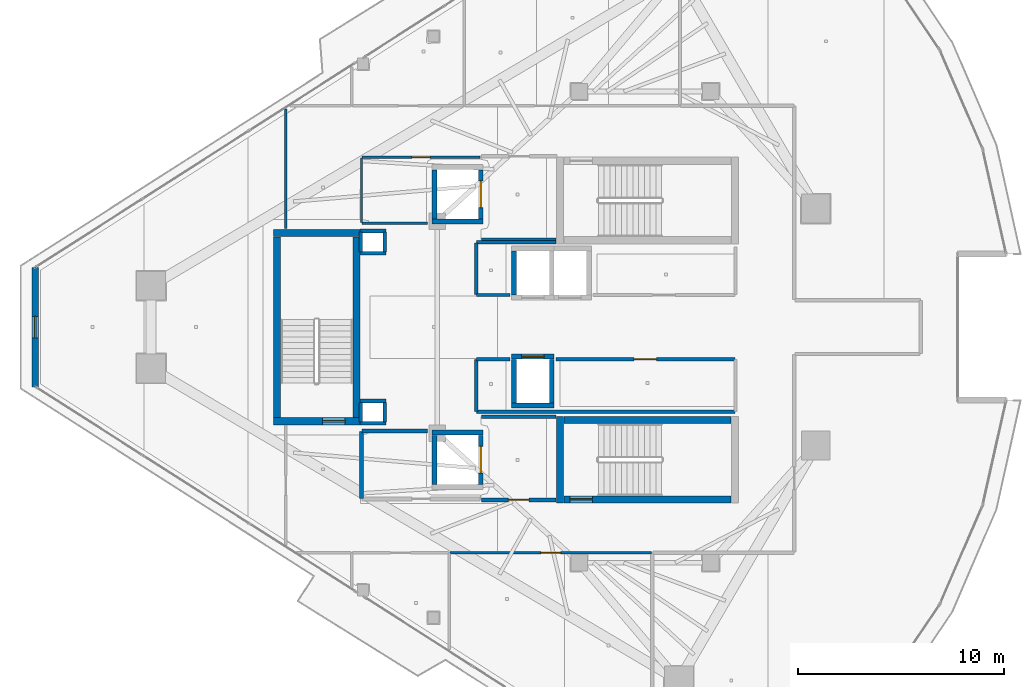
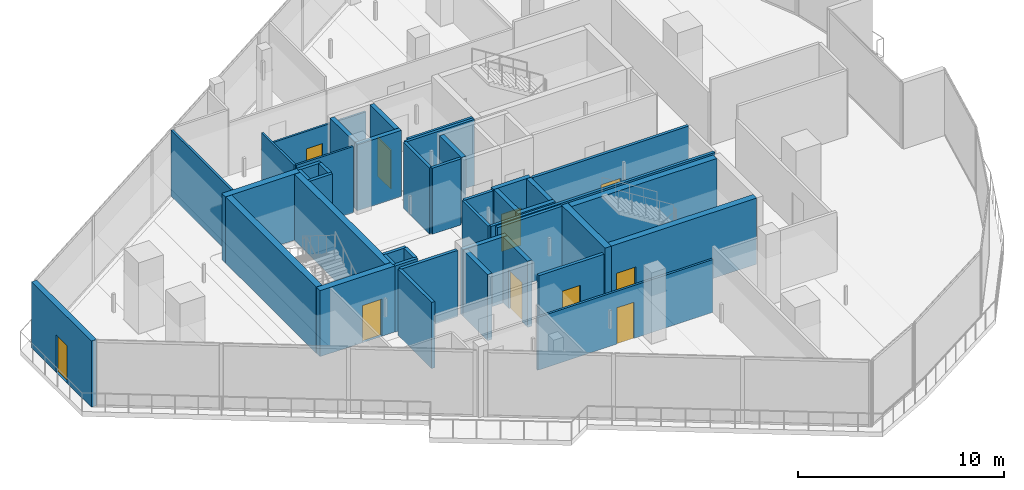
# One storey, part 20 of 27: 44 walls, 10 doors, 10 openings.
"""IFC4 building model written with IfcOpenShell, lengths in metres."""

from ifc_helpers import new_model, si_unit, direction, frame, frame_2d, origin, place, context, subcontext, project, spatial, rectangle, extrude, material, layer, layer_set, type_object, element, fill, save


model = new_model("IFC4")

# Units and contexts
model_context = context("Model", 3, precision=1e-05, world=origin(), true_north=direction((0.0, 1.0)))
body_context = subcontext(model_context, "Body", "Model", "MODEL_VIEW")
ifc_project = project(units=[si_unit("LENGTHUNIT", "METRE"), si_unit("AREAUNIT", "SQUARE_METRE"), si_unit("VOLUMEUNIT", "CUBIC_METRE"), si_unit("PLANEANGLEUNIT", "RADIAN"), si_unit("MASSUNIT", "GRAM", prefix="KILO")], contexts=[model_context])

# Site, building, storey
site_placement = place(None, origin())
site = spatial("IfcSite", under=ifc_project, at=site_placement, CompositionType="ELEMENT")
building_placement = place(site_placement, origin())
building = spatial("IfcBuilding", under=site, at=building_placement, Name="Qorvath Tower", CompositionType="ELEMENT")
storey_placement = place(building_placement, frame((0.0, 0.0, 293.39990234375)))
storey = spatial("IfcBuildingStorey", under=building, at=storey_placement, Name="L68", CompositionType="ELEMENT", Elevation=293.39990234375)

# Walls
ifc_material_1 = material(Name="Gypsum shaftliner on steel studs", Category="steel")
ifc_layer_1 = layer(ifc_material_1, 0.179931640625)
ifc_layer_set_1 = layer_set([ifc_layer_1], Name="FW-LOBBY")
wall_type_1 = type_object("IfcWallType", Name="FW-LOBBY", PredefinedType="PARTITIONING", material=ifc_layer_set_1)
for number, where, z_axis, x_axis, name in (
    (1, (-32.989990234375, 3.594970703125, 0.0), (0.0, 0.0, 1.0), (-1.0, 0.0, 0.0), "MEP Riser Shaft Enclosure Wall N-L68-S"),
    (2, (-34.260009765625, 4.675048828125, 0.0), (0.0, 0.0, 1.0), (1.0, 0.0, 0.0), "MEP Riser Shaft Enclosure Wall N-L68-N"),
):
    element("IfcWall", number, at=place(storey_placement, frame(where, z_axis=z_axis, x_axis=x_axis)), inside=storey, type_object=wall_type_1, Name=name, PredefinedType="PARTITIONING", context=body_context, shape_type="SweptSolid", body=[
        extrude(rectangle(XDim=1.27001953125, YDim=0.179931640625, at=frame_2d((0.635009765625, 0.0))), origin(), (0.0, 0.0, 1.0), 3.91015625),
    ])
for number, where, z_axis, x_axis, name in (
    (3, (-34.205078125, 3.659912109375, 0.0), (0.0, 0.0, 1.0), (0.0, 1.0, 0.0), "MEP Riser Shaft Enclosure Wall N-L68-W"),
    (4, (-33.044921875, 4.610107421875, 0.0), (0.0, 0.0, 1.0), (0.0, -1.0, 0.0), "MEP Riser Shaft Enclosure Wall N-L68-E"),
):
    element("IfcWall", number, at=place(storey_placement, frame(where, z_axis=z_axis, x_axis=x_axis)), inside=storey, type_object=wall_type_1, Name=name, PredefinedType="PARTITIONING", context=body_context, shape_type="SweptSolid", body=[
        extrude(rectangle(XDim=0.9501953125, YDim=0.179931640625, at=frame_2d((0.47509765625, 0.0))), origin(), (0.0, 0.0, 1.0), 3.91015625),
    ])
for number, where, z_axis, x_axis, name in (
    (5, (-32.989990234375, -4.675048828125, 0.0), (0.0, 0.0, 1.0), (-1.0, 0.0, 0.0), "MEP Riser Shaft Enclosure Wall S-L68-S"),
    (6, (-34.260009765625, -3.594970703125, 0.0), (0.0, 0.0, 1.0), (1.0, 0.0, 0.0), "MEP Riser Shaft Enclosure Wall S-L68-N"),
):
    element("IfcWall", number, at=place(storey_placement, frame(where, z_axis=z_axis, x_axis=x_axis)), inside=storey, type_object=wall_type_1, Name=name, PredefinedType="PARTITIONING", context=body_context, shape_type="SweptSolid", body=[
        extrude(rectangle(XDim=1.27001953125, YDim=0.179931640625, at=frame_2d((0.635009765625, 0.0))), origin(), (0.0, 0.0, 1.0), 3.91015625),
    ])
for number, where, z_axis, x_axis, name in (
    (7, (-34.205078125, -4.610107421875, 0.0), (0.0, 0.0, 1.0), (0.0, 1.0, 0.0), "MEP Riser Shaft Enclosure Wall S-L68-W"),
    (8, (-33.044921875, -3.659912109375, 0.0), (0.0, 0.0, 1.0), (0.0, -1.0, 0.0), "MEP Riser Shaft Enclosure Wall S-L68-E"),
):
    element("IfcWall", number, at=place(storey_placement, frame(where, z_axis=z_axis, x_axis=x_axis)), inside=storey, type_object=wall_type_1, Name=name, PredefinedType="PARTITIONING", context=body_context, shape_type="SweptSolid", body=[
        extrude(rectangle(XDim=0.9501953125, YDim=0.179931640625, at=frame_2d((0.47509765625, 0.0))), origin(), (0.0, 0.0, 1.0), 3.91015625),
    ])
wall_1_placement = place(storey_placement, frame((-28.35498046875, 4.25, 0.0), z_axis=(0.0, 0.0, 1.0), x_axis=(1.0, 0.0, 0.0)))
element("IfcWall", 9, at=wall_1_placement, inside=storey, type_object=wall_type_1, Name="Interior Partition IW-T1-L68-001", PredefinedType="PARTITIONING", context=body_context, shape_type="SweptSolid", body=[
    extrude(rectangle(XDim=3.6220703125, YDim=0.179931640625, at=frame_2d((1.81103515625, 0.0))), origin(), (0.0, 0.0, 1.0), 3.91015625),
])

# Wall, opening, door
wall_2_placement = place(storey_placement, frame((-28.35498046875, -8.39990234375, 0.0), z_axis=(0.0, 0.0, 1.0), x_axis=(1.0, 0.0, 0.0)))
wall_2 = element("IfcWall", 10, at=wall_2_placement, inside=storey, type_object=wall_type_1, Name="Interior Partition IW-T1-L68-003", PredefinedType="PARTITIONING", context=body_context, shape_type="SweptSolid", body=[
    extrude(rectangle(XDim=3.6220703125, YDim=0.179931640625, at=frame_2d((1.81103515625, 0.0))), origin(), (0.0, 0.0, 1.0), 3.529052734375),
])
opening_1_placement = place(wall_2_placement, frame((1.31103515625, 0.0, 0.0)))
opening_1 = element("IfcOpeningElement", 11, at=opening_1_placement, cuts=wall_2, Name="Opening D-T1-L68-02", PredefinedType="OPENING", context=body_context, shape_type="SweptSolid", body=[
    extrude(rectangle(XDim=1.0, YDim=2.14990234375, at=frame_2d((0.5, 1.074951171875))), frame((0.0, 0.10009765625, 0.0), z_axis=(0.0, -1.0, 0.0), x_axis=(1.0, 0.0, 0.0)), (0.0, 0.0, 1.0), 0.199951171875),
])
ifc_material_2 = material(Name="Painted galvanised hollow metal", Category="steel")
door_type_1 = type_object("IfcDoorType", Name="FD-60", OperationType="NOTDEFINED", PredefinedType="DOOR", material=ifc_material_2)
door_1_placement = place(opening_1_placement, origin())
door_1 = element("IfcDoor", 12, at=door_1_placement, inside=storey, type_object=door_type_1, Name="Lobby Fire Service Elevator South Door D-T1-L68-02", OperationType="SINGLE_SWING_LEFT", OverallHeight=2.14990234375, OverallWidth=1.0, PredefinedType="DOOR", context=body_context, shape_type="SweptSolid", body=[
    extrude(rectangle(XDim=1.0, YDim=2.14990234375, at=frame_2d((0.5, 1.074951171875))), frame((0.0, 0.02490234375, 0.0), z_axis=(0.0, -1.0, 0.0), x_axis=(1.0, 0.0, 0.0)), (0.0, 0.0, 1.0), 0.050048828125),
])
fill(opening_1, door_1)

# Walls
wall_3_placement = place(storey_placement, frame((-24.73291015625, -4.35009765625, 0.0), z_axis=(0.0, 0.0, 1.0), x_axis=(-1.0, 0.0, 0.0)))
element("IfcWall", 13, at=wall_3_placement, inside=storey, type_object=wall_type_1, Name="Interior Partition IW-T1-L68-004", PredefinedType="PARTITIONING", context=body_context, shape_type="SweptSolid", body=[
    extrude(rectangle(XDim=3.6220703125, YDim=0.179931640625, at=frame_2d((1.81103515625, 0.0))), origin(), (0.0, 0.0, 1.0), 3.91015625),
])
wall_4_placement = place(storey_placement, frame((-30.965087890625, -5.050048828125, 0.0), z_axis=(0.0, 0.0, 1.0), x_axis=(-1.0, 0.0, 0.0)))
element("IfcWall", 14, at=wall_4_placement, inside=storey, type_object=wall_type_1, Name="Interior Partition IW-T1-L68-018", PredefinedType="PARTITIONING", context=body_context, shape_type="SweptSolid", body=[
    extrude(rectangle(XDim=3.189697265625, YDim=0.179931640625, at=frame_2d((1.5947265625, 0.0))), origin(), (0.0, 0.0, 1.0), 3.91015625),
])
wall_5_placement = place(storey_placement, frame((-34.179931640625, -5.074951171875, 0.0), z_axis=(0.0, 0.0, 1.0), x_axis=(0.0, -1.0, 0.0)))
element("IfcWall", 15, at=wall_5_placement, inside=storey, type_object=wall_type_1, Name="Interior Partition IW-T1-L68-019", PredefinedType="PARTITIONING", context=body_context, shape_type="SweptSolid", body=[
    extrude(rectangle(XDim=3.250244140625, YDim=0.179931640625, at=frame_2d((1.625, 0.0))), origin(), (0.0, 0.0, 1.0), 3.91015625),
])
ifc_material_3 = material(Name="Double acoustic gypsum board on steel studs", Category="steel")
ifc_layer_2 = layer(ifc_material_3, 0.159912109375)
ifc_layer_set_2 = layer_set([ifc_layer_2], Name="IW-ACOUSTIC-160")
wall_type_2 = type_object("IfcWallType", Name="IW-ACOUSTIC-160", PredefinedType="PARTITIONING", material=ifc_layer_set_2)
wall_6_placement = place(storey_placement, frame((-28.60009765625, 4.09521484375, 0.0), z_axis=(0.0, 0.0, 1.0), x_axis=(0.0, -1.0, 0.0)))
element("IfcWall", 16, at=wall_6_placement, inside=storey, type_object=wall_type_2, Name="Interior Partition IW-T1-L68-008", PredefinedType="PARTITIONING", context=body_context, shape_type="SweptSolid", body=[
    extrude(rectangle(XDim=2.510009765625, YDim=0.159912109375, at=frame_2d((1.2548828125, 0.0))), origin(), (0.0, 0.0, 1.0), 3.91015625),
])
wall_7_placement = place(storey_placement, frame((-28.5751953125, 1.56005859375, 0.0), z_axis=(0.0, 0.0, 1.0), x_axis=(1.0, 0.0, 0.0)))
element("IfcWall", 17, at=wall_7_placement, inside=storey, type_object=wall_type_2, Name="Interior Partition IW-T1-L68-009", PredefinedType="PARTITIONING", context=body_context, shape_type="SweptSolid", body=[
    extrude(rectangle(XDim=1.609130859375, YDim=0.159912109375, at=frame_2d((0.8046875, 0.0))), origin(), (0.0, 0.0, 1.0), 3.91015625),
])
wall_8_placement = place(storey_placement, frame((-24.73291015625, 4.1201171875, 0.0), z_axis=(0.0, 0.0, 1.0), x_axis=(-1.0, 0.0, 0.0)))
element("IfcWall", 18, at=wall_8_placement, inside=storey, type_object=wall_type_2, Name="Interior Partition IW-T1-L68-012", PredefinedType="PARTITIONING", context=body_context, shape_type="SweptSolid", body=[
    extrude(rectangle(XDim=3.84228515625, YDim=0.159912109375, at=frame_2d((1.921142578125, 0.0))), origin(), (0.0, 0.0, 1.0), 3.91015625),
])
wall_9_placement = place(storey_placement, frame((-28.60009765625, -1.585205078125, 0.0), z_axis=(0.0, 0.0, 1.0), x_axis=(0.0, -1.0, 0.0)))
element("IfcWall", 19, at=wall_9_placement, inside=storey, type_object=wall_type_2, Name="Interior Partition IW-T1-L68-013", PredefinedType="PARTITIONING", context=body_context, shape_type="SweptSolid", body=[
    extrude(rectangle(XDim=2.510009765625, YDim=0.159912109375, at=frame_2d((1.2548828125, 0.0))), origin(), (0.0, 0.0, 1.0), 3.91015625),
])
wall_10_placement = place(storey_placement, frame((-28.5751953125, -4.1201171875, 0.0), z_axis=(0.0, 0.0, 1.0), x_axis=(1.0, 0.0, 0.0)))
element("IfcWall", 20, at=wall_10_placement, inside=storey, type_object=wall_type_2, Name="Interior Partition IW-T1-L68-014", PredefinedType="PARTITIONING", context=body_context, shape_type="SweptSolid", body=[
    extrude(rectangle(XDim=12.55029296875, YDim=0.159912109375, at=frame_2d((6.275146484375, 0.0))), origin(), (0.0, 0.0, 1.0), 3.91015625),
])

# Wall, opening, door
wall_11_placement = place(storey_placement, frame((-16.02490234375, -1.56005859375, 0.0), z_axis=(0.0, 0.0, 1.0), x_axis=(-1.0, 0.0, 0.0)))
wall_11 = element("IfcWall", 21, at=wall_11_placement, inside=storey, type_object=wall_type_2, Name="Interior Partition IW-T1-L68-016", PredefinedType="PARTITIONING", context=body_context, shape_type="SweptSolid", body=[
    extrude(rectangle(XDim=8.708984375, YDim=0.159912109375, at=frame_2d((4.3544921875, 0.0))), origin(), (0.0, 0.0, 1.0), 3.91015625),
])
opening_2_placement = place(wall_11_placement, frame((3.804443359375, 0.0, 0.0)))
opening_2 = element("IfcOpeningElement", 22, at=opening_2_placement, cuts=wall_11, Name="Opening D-T1-L68-05", PredefinedType="OPENING", context=body_context, shape_type="SweptSolid", body=[
    extrude(rectangle(XDim=1.10009765625, YDim=2.14990234375, at=frame_2d((0.550048828125, 1.074951171875))), frame((0.0, 0.08984375, 0.0), z_axis=(0.0, -1.0, 0.0), x_axis=(1.0, 0.0, 0.0)), (0.0, 0.0, 1.0), 0.179931640625),
])
ifc_material_4 = material(Name="Anodised aluminium acoustic framed glass", Category="aluminium")
door_type_2 = type_object("IfcDoorType", Name="D-03", OperationType="NOTDEFINED", PredefinedType="DOOR", material=ifc_material_4)
door_2_placement = place(opening_2_placement, origin())
door_2 = element("IfcDoor", 23, at=door_2_placement, inside=storey, type_object=door_type_2, Name="L68-RCS South Executive Boardroom Door D-T1-L68-05", OperationType="SINGLE_SWING_RIGHT", OverallHeight=2.14990234375, OverallWidth=1.10009765625, PredefinedType="DOOR", context=body_context, shape_type="SweptSolid", body=[
    extrude(rectangle(XDim=1.10009765625, YDim=2.14990234375, at=frame_2d((0.550048828125, 1.074951171875))), frame((0.0, 0.02490234375, 0.0), z_axis=(0.0, -1.0, 0.0), x_axis=(1.0, 0.0, 0.0)), (0.0, 0.0, 1.0), 0.050048828125),
])
fill(opening_2, door_2)

# Walls
wall_12_placement = place(storey_placement, frame((-26.966064453125, -1.56005859375, 0.0), z_axis=(0.0, 0.0, 1.0), x_axis=(-1.0, 0.0, 0.0)))
element("IfcWall", 24, at=wall_12_placement, inside=storey, type_object=wall_type_2, Name="Interior Partition IW-T1-L68-017", PredefinedType="PARTITIONING", context=body_context, shape_type="SweptSolid", body=[
    extrude(rectangle(XDim=1.609130859375, YDim=0.159912109375, at=frame_2d((0.8046875, 0.0))), origin(), (0.0, 0.0, 1.0), 3.91015625),
])
ifc_material_5 = material(Name="Gypsum board on metal studs with mineral wool", Category="gypsum")
ifc_layer_3 = layer(ifc_material_5, 0.125)
ifc_layer_set_3 = layer_set([ifc_layer_3], Name="IW-PART-125")
wall_type_3 = type_object("IfcWallType", Name="IW-PART-125", PredefinedType="PARTITIONING", material=ifc_layer_set_3)
wall_13_placement = place(storey_placement, frame((-37.85791015625, 4.783203125, 0.0), z_axis=(0.0, 0.0, 1.0), x_axis=(0.0, 1.0, 0.0)))
element("IfcWall", 25, at=wall_13_placement, inside=storey, type_object=wall_type_3, Name="Interior Partition IW-T1-L68-024", PredefinedType="PARTITIONING", context=body_context, shape_type="SweptSolid", body=[
    extrude(rectangle(XDim=5.816650390625, YDim=0.125, at=frame_2d((2.908203125, 0.0))), origin(), (0.0, 0.0, 1.0), 3.91015625),
])

# Wall, opening, door
wall_14_placement = place(storey_placement, frame((-20.072998046875, -10.9580078125, 0.0), z_axis=(0.0, 0.0, 1.0), x_axis=(-1.0, 0.0, 0.0)))
wall_14 = element("IfcWall", 26, at=wall_14_placement, inside=storey, type_object=wall_type_3, Name="Interior Partition IW-T1-L68-042", PredefinedType="PARTITIONING", context=body_context, shape_type="SweptSolid", body=[
    extrude(rectangle(XDim=9.810791015625, YDim=0.125, at=frame_2d((4.9052734375, 0.0))), origin(), (0.0, 0.0, 1.0), 3.130126953125),
])
opening_3_placement = place(wall_14_placement, frame((4.430419921875, 0.0, 0.0)))
opening_3 = element("IfcOpeningElement", 27, at=opening_3_placement, cuts=wall_14, Name="Opening D-T1-L68-12", PredefinedType="OPENING", context=body_context, shape_type="SweptSolid", body=[
    extrude(rectangle(XDim=0.949951171875, YDim=2.14990234375, at=frame_2d((0.47509765625, 1.074951171875))), frame((0.0, 0.072509765625, 0.0), z_axis=(0.0, -1.0, 0.0), x_axis=(1.0, 0.0, 0.0)), (0.0, 0.0, 1.0), 0.14501953125),
])
ifc_material_6 = material(Name="Solid-core American white oak veneer", Category="wood")
door_type_3 = type_object("IfcDoorType", Name="D-01", OperationType="NOTDEFINED", PredefinedType="DOOR", material=ifc_material_6)
door_3_placement = place(opening_3_placement, origin())
door_3 = element("IfcDoor", 28, at=door_3_placement, inside=storey, type_object=door_type_3, Name="L68-06 Executive Support Office Door D-T1-L68-12", OperationType="SINGLE_SWING_LEFT", OverallHeight=2.14990234375, OverallWidth=0.949951171875, PredefinedType="DOOR", context=body_context, shape_type="SweptSolid", body=[
    extrude(rectangle(XDim=0.949951171875, YDim=2.14990234375, at=frame_2d((0.47509765625, 1.074951171875))), frame((0.0, 0.02490234375, 0.0), z_axis=(0.0, -1.0, 0.0), x_axis=(1.0, 0.0, 0.0)), (0.0, 0.0, 1.0), 0.050048828125),
])
fill(opening_3, door_3)

# Walls
ifc_material_7 = material(Name="Moisture-resistant cement board on metal studs", Category="gypsum")
ifc_layer_4 = layer(ifc_material_7, 0.110107421875)
ifc_layer_set_4 = layer_set([ifc_layer_4], Name="IW-WC-110")
wall_type_4 = type_object("IfcWallType", Name="IW-WC-110", PredefinedType="PARTITIONING", material=ifc_layer_set_4)
wall_15_placement = place(storey_placement, frame((-34.179931640625, 8.22509765625, 0.0), z_axis=(0.0, 0.0, 1.0), x_axis=(0.0, -1.0, 0.0)))
element("IfcWall", 29, at=wall_15_placement, inside=storey, type_object=wall_type_4, Name="Interior Partition IW-T1-L68-005", PredefinedType="PARTITIONING", context=body_context, shape_type="SweptSolid", body=[
    extrude(rectangle(XDim=3.150146484375, YDim=0.110107421875, at=frame_2d((1.5751953125, 0.0))), origin(), (0.0, 0.0, 1.0), 3.91015625),
])
wall_16_placement = place(storey_placement, frame((-34.15478515625, 5.050048828125, 0.0), z_axis=(0.0, 0.0, 1.0), x_axis=(1.0, 0.0, 0.0)))
element("IfcWall", 30, at=wall_16_placement, inside=storey, type_object=wall_type_4, Name="Interior Partition IW-T1-L68-006", PredefinedType="PARTITIONING", context=body_context, shape_type="SweptSolid", body=[
    extrude(rectangle(XDim=3.189697265625, YDim=0.110107421875, at=frame_2d((1.5947265625, 0.0))), origin(), (0.0, 0.0, 1.0), 3.91015625),
])

# Wall, opening, door
wall_17_placement = place(storey_placement, frame((-28.412841796875, 8.25, 0.0), z_axis=(0.0, 0.0, 1.0), x_axis=(-1.0, 0.0, 0.0)))
wall_17 = element("IfcWall", 31, at=wall_17_placement, inside=storey, type_object=wall_type_4, Name="Interior Partition IW-T1-L68-007", PredefinedType="PARTITIONING", context=body_context, shape_type="SweptSolid", body=[
    extrude(rectangle(XDim=5.741943359375, YDim=0.110107421875, at=frame_2d((2.87109375, 0.0))), origin(), (0.0, 0.0, 1.0), 3.130126953125),
])
opening_4_placement = place(wall_17_placement, frame((2.430908203125, 0.0, 0.0)))
opening_4 = element("IfcOpeningElement", 32, at=opening_4_placement, cuts=wall_17, Name="Opening D-T1-L68-03", PredefinedType="OPENING", context=body_context, shape_type="SweptSolid", body=[
    extrude(rectangle(XDim=0.8798828125, YDim=2.10009765625, at=frame_2d((0.43994140625, 1.050048828125))), frame((0.0, 0.06494140625, 0.0), z_axis=(0.0, -1.0, 0.0), x_axis=(1.0, 0.0, 0.0)), (0.0, 0.0, 1.0), 0.130126953125),
])
ifc_material_8 = material(Name="Solid-core oak with acoustic drop seal", Category="wood")
door_type_4 = type_object("IfcDoorType", Name="D-02", OperationType="NOTDEFINED", PredefinedType="DOOR", material=ifc_material_8)
door_4_placement = place(opening_4_placement, origin())
door_4 = element("IfcDoor", 33, at=door_4_placement, inside=storey, type_object=door_type_4, Name="Accessible WC North L68 Door D-T1-L68-03", OperationType="SINGLE_SWING_RIGHT", OverallHeight=2.10009765625, OverallWidth=0.8798828125, PredefinedType="DOOR", context=body_context, shape_type="SweptSolid", body=[
    extrude(rectangle(XDim=0.8798828125, YDim=2.10009765625, at=frame_2d((0.43994140625, 1.050048828125))), frame((0.0, 0.02490234375, 0.0), z_axis=(0.0, -1.0, 0.0), x_axis=(1.0, 0.0, 0.0)), (0.0, 0.0, 1.0), 0.050048828125),
])
fill(opening_4, door_4)

# Walls
ifc_material_9 = material(Name="Concrete C60/75", Category="concrete")
ifc_layer_5 = layer(ifc_material_9, 0.260009765625)
ifc_layer_set_5 = layer_set([ifc_layer_5], Name="SW-SHAFT")
wall_type_5 = type_object("IfcWallType", Name="SW-SHAFT", PredefinedType="SHEAR", material=ifc_layer_set_5)
wall_18_placement = place(storey_placement, frame((-28.260009765625, 5.1298828125, 0.0), z_axis=(0.0, 0.0, 1.0), x_axis=(-1.0, 0.0, 0.0)))
element("IfcWall", 34, at=wall_18_placement, inside=storey, type_object=wall_type_5, Name="Hoistway Wall FSAE-1 L68 S", PredefinedType="SHEAR", context=body_context, shape_type="SweptSolid", body=[
    extrude(rectangle(XDim=2.47998046875, YDim=0.239990234375, at=frame_2d((1.239990234375, 0.0))), origin(), (0.0, 0.0, 1.0), 3.91015625),
])
wall_19_placement = place(storey_placement, frame((-30.6201171875, 5.261962890625, 0.0), z_axis=(0.0, 0.0, 1.0), x_axis=(0.0, 1.0, 0.0)))
element("IfcWall", 35, at=wall_19_placement, inside=storey, type_object=wall_type_5, Name="Hoistway Wall FSAE-1 L68 W", PredefinedType="SHEAR", context=body_context, shape_type="SweptSolid", body=[
    extrude(rectangle(XDim=2.3759765625, YDim=0.239990234375, at=frame_2d((1.18798828125, 0.0))), origin(), (0.0, 0.0, 1.0), 3.91015625),
])

# Wall, opening, door
wall_20_placement = place(storey_placement, frame((-28.3798828125, 7.637939453125, 0.0), z_axis=(0.0, 0.0, 1.0), x_axis=(0.0, -1.0, 0.0)))
wall_20 = element("IfcWall", 36, at=wall_20_placement, inside=storey, type_object=wall_type_5, Name="Hoistway Wall FSAE-1 L68 E", PredefinedType="SHEAR", context=body_context, shape_type="SweptSolid", body=[
    extrude(rectangle(XDim=2.3759765625, YDim=0.239990234375, at=frame_2d((1.18798828125, 0.0))), origin(), (0.0, 0.0, 1.0), 3.91015625),
])
opening_5_placement = place(wall_20_placement, frame((0.537841796875, 0.0, 0.0)))
opening_5 = element("IfcOpeningElement", 37, at=opening_5_placement, cuts=wall_20, Name="Opening LD-FSAE-1-L68", PredefinedType="OPENING", context=body_context, shape_type="SweptSolid", body=[
    extrude(rectangle(XDim=1.300048828125, YDim=2.300048828125, at=frame_2d((0.64990234375, 1.14990234375))), frame((0.0, 0.1298828125, 0.0), z_axis=(0.0, -1.0, 0.0), x_axis=(1.0, 0.0, 0.0)), (0.0, 0.0, 1.0), 0.260009765625),
])
ifc_material_10 = material(Name="Brushed stainless steel AISI 316", Category="steel")
door_type_5 = type_object("IfcDoorType", Name="LD-02", OperationType="NOTDEFINED", PredefinedType="DOOR", material=ifc_material_10)
door_5_placement = place(opening_5_placement, origin())
door_5 = element("IfcDoor", 38, at=door_5_placement, inside=storey, type_object=door_type_5, Name="Elevator Landing Sliding Door LD-FSAE-1-L68", OperationType="DOUBLE_DOOR_SLIDING", OverallHeight=2.300048828125, OverallWidth=1.300048828125, PredefinedType="DOOR", context=body_context, shape_type="SweptSolid", body=[
    extrude(rectangle(XDim=1.300048828125, YDim=2.300048828125, at=frame_2d((0.64990234375, 1.14990234375))), frame((0.0, 0.02490234375, 0.0), z_axis=(0.0, -1.0, 0.0), x_axis=(1.0, 0.0, 0.0)), (0.0, 0.0, 1.0), 0.050048828125),
])
fill(opening_5, door_5)

# Walls
wall_21_placement = place(storey_placement, frame((-30.739990234375, -5.1298828125, 0.0), z_axis=(0.0, 0.0, 1.0), x_axis=(1.0, 0.0, 0.0)))
element("IfcWall", 39, at=wall_21_placement, inside=storey, type_object=wall_type_5, Name="Hoistway Wall FSAE-2 L68 N", PredefinedType="SHEAR", context=body_context, shape_type="SweptSolid", body=[
    extrude(rectangle(XDim=2.47998046875, YDim=0.239990234375, at=frame_2d((1.239990234375, 0.0))), origin(), (0.0, 0.0, 1.0), 3.91015625),
])
wall_22_placement = place(storey_placement, frame((-30.6201171875, -7.637939453125, 0.0), z_axis=(0.0, 0.0, 1.0), x_axis=(0.0, 1.0, 0.0)))
element("IfcWall", 40, at=wall_22_placement, inside=storey, type_object=wall_type_5, Name="Hoistway Wall FSAE-2 L68 W", PredefinedType="SHEAR", context=body_context, shape_type="SweptSolid", body=[
    extrude(rectangle(XDim=2.3759765625, YDim=0.239990234375, at=frame_2d((1.18798828125, 0.0))), origin(), (0.0, 0.0, 1.0), 3.91015625),
])

# Wall, opening, door
wall_23_placement = place(storey_placement, frame((-28.3798828125, -5.261962890625, 0.0), z_axis=(0.0, 0.0, 1.0), x_axis=(0.0, -1.0, 0.0)))
wall_23 = element("IfcWall", 41, at=wall_23_placement, inside=storey, type_object=wall_type_5, Name="Hoistway Wall FSAE-2 L68 E", PredefinedType="SHEAR", context=body_context, shape_type="SweptSolid", body=[
    extrude(rectangle(XDim=2.3759765625, YDim=0.239990234375, at=frame_2d((1.18798828125, 0.0))), origin(), (0.0, 0.0, 1.0), 3.91015625),
])
opening_6_placement = place(wall_23_placement, frame((0.5380859375, 0.0, 0.0)))
opening_6 = element("IfcOpeningElement", 42, at=opening_6_placement, cuts=wall_23, Name="Opening LD-FSAE-2-L68", PredefinedType="OPENING", context=body_context, shape_type="SweptSolid", body=[
    extrude(rectangle(XDim=1.300048828125, YDim=2.300048828125, at=frame_2d((0.64990234375, 1.14990234375))), frame((0.0, 0.1298828125, 0.0), z_axis=(0.0, -1.0, 0.0), x_axis=(1.0, 0.0, 0.0)), (0.0, 0.0, 1.0), 0.260009765625),
])
door_6_placement = place(opening_6_placement, origin())
door_6 = element("IfcDoor", 43, at=door_6_placement, inside=storey, type_object=door_type_5, Name="Elevator Landing Sliding Door LD-FSAE-2-L68", OperationType="DOUBLE_DOOR_SLIDING", OverallHeight=2.300048828125, OverallWidth=1.300048828125, PredefinedType="DOOR", context=body_context, shape_type="SweptSolid", body=[
    extrude(rectangle(XDim=1.300048828125, YDim=2.300048828125, at=frame_2d((0.64990234375, 1.14990234375))), frame((0.0, 0.02490234375, 0.0), z_axis=(0.0, -1.0, 0.0), x_axis=(1.0, 0.0, 0.0)), (0.0, 0.0, 1.0), 0.050048828125),
])
fill(opening_6, door_6)

# Walls
wall_24_placement = place(storey_placement, frame((-26.77001953125, 1.56201171875, 0.0), z_axis=(0.0, 0.0, 1.0), x_axis=(0.0, 1.0, 0.0)))
element("IfcWall", 44, at=wall_24_placement, inside=storey, type_object=wall_type_5, Name="Hoistway Wall PH-1 L68 W", PredefinedType="SHEAR", context=body_context, shape_type="SweptSolid", body=[
    extrude(rectangle(XDim=2.1259765625, YDim=0.239990234375, at=frame_2d((1.06298828125, 0.0))), origin(), (0.0, 0.0, 1.0), 3.91015625),
])
wall_25_placement = place(storey_placement, frame((-24.81005859375, -3.820068359375, 0.0), z_axis=(0.0, 0.0, 1.0), x_axis=(-1.0, 0.0, 0.0)))
element("IfcWall", 45, at=wall_25_placement, inside=storey, type_object=wall_type_5, Name="Hoistway Wall PH-3 L68 S", PredefinedType="SHEAR", context=body_context, shape_type="SweptSolid", body=[
    extrude(rectangle(XDim=2.079833984375, YDim=0.239990234375, at=frame_2d((1.0400390625, 0.0))), origin(), (0.0, 0.0, 1.0), 3.91015625),
])

# Wall, opening, door
wall_26_placement = place(storey_placement, frame((-26.889892578125, -1.429931640625, 0.0), z_axis=(0.0, 0.0, 1.0), x_axis=(1.0, 0.0, 0.0)))
wall_26 = element("IfcWall", 46, at=wall_26_placement, inside=storey, type_object=wall_type_5, Name="Hoistway Wall PH-3 L68 N", PredefinedType="SHEAR", context=body_context, shape_type="SweptSolid", body=[
    extrude(rectangle(XDim=2.079833984375, YDim=0.239990234375, at=frame_2d((1.0400390625, 0.0))), origin(), (0.0, 0.0, 1.0), 3.91015625),
])
opening_7_placement = place(wall_26_placement, frame((0.48974609375, 0.0, 0.0)))
opening_7 = element("IfcOpeningElement", 47, at=opening_7_placement, cuts=wall_26, Name="Opening LD-PH-3-L68", PredefinedType="OPENING", context=body_context, shape_type="SweptSolid", body=[
    extrude(rectangle(XDim=1.10009765625, YDim=2.199951171875, at=frame_2d((0.550048828125, 1.10009765625))), frame((0.0, 0.1298828125, 0.0), z_axis=(0.0, -1.0, 0.0), x_axis=(1.0, 0.0, 0.0)), (0.0, 0.0, 1.0), 0.260009765625),
])
ifc_material_11 = material(Name="Brushed stainless steel AISI 316", Category="steel")
door_type_6 = type_object("IfcDoorType", Name="LD-01", OperationType="NOTDEFINED", PredefinedType="DOOR", material=ifc_material_11)
door_7_placement = place(opening_7_placement, origin())
door_7 = element("IfcDoor", 48, at=door_7_placement, inside=storey, type_object=door_type_6, Name="Elevator Landing Sliding Door LD-PH-3-L68", OperationType="DOUBLE_DOOR_SLIDING", OverallHeight=2.199951171875, OverallWidth=1.10009765625, PredefinedType="DOOR", context=body_context, shape_type="SweptSolid", body=[
    extrude(rectangle(XDim=1.10009765625, YDim=2.199951171875, at=frame_2d((0.550048828125, 1.10009765625))), frame((0.0, 0.02490234375, 0.0), z_axis=(0.0, -1.0, 0.0), x_axis=(1.0, 0.0, 0.0)), (0.0, 0.0, 1.0), 0.050048828125),
])
fill(opening_7, door_7)

# Walls
for number, where, z_axis, x_axis, name in (
    (49, (-26.77001953125, -3.68798828125, 0.0), (0.0, 0.0, 1.0), (0.0, 1.0, 0.0), "Hoistway Wall PH-3 L68 W"),
    (50, (-24.929931640625, -1.56201171875, 0.0), (0.0, 0.0, 1.0), (0.0, -1.0, 0.0), "Hoistway Wall PH-3 L68 E"),
):
    element("IfcWall", number, at=place(storey_placement, frame(where, z_axis=z_axis, x_axis=x_axis)), inside=storey, type_object=wall_type_5, Name=name, PredefinedType="SHEAR", context=body_context, shape_type="SweptSolid", body=[
        extrude(rectangle(XDim=2.1259765625, YDim=0.239990234375, at=frame_2d((1.06298828125, 0.0))), origin(), (0.0, 0.0, 1.0), 3.91015625),
    ])
ifc_material_12 = material(Name="Concrete C60/75", Category="concrete")
ifc_layer_6 = layer(ifc_material_12, 0.35009765625)
ifc_layer_set_6 = layer_set([ifc_layer_6], Name="SW-STAIR")
wall_type_6 = type_object("IfcWallType", Name="SW-STAIR", PredefinedType="SHEAR", material=ifc_layer_set_6)
wall_27_placement = place(storey_placement, frame((-24.52490234375, -4.340087890625, 0.0), z_axis=(0.0, 0.0, 1.0), x_axis=(0.0, -1.0, 0.0)))
element("IfcWall", 51, at=wall_27_placement, inside=storey, type_object=wall_type_6, Name="Stair TS2 Shear Wall L68 NEAR", PredefinedType="SHEAR", context=body_context, shape_type="SweptSolid", body=[
    extrude(rectangle(XDim=4.2099609375, YDim=0.35009765625, at=frame_2d((2.10498046875, 0.0))), origin(), (0.0, 0.0, 1.0), 3.91015625),
])

# Wall, opening, door
wall_28_placement = place(storey_placement, frame((-24.3349609375, -8.375, 0.0), z_axis=(0.0, 0.0, 1.0), x_axis=(1.0, 0.0, 0.0)))
wall_28 = element("IfcWall", 52, at=wall_28_placement, inside=storey, type_object=wall_type_6, Name="Stair TS2 Shear Wall L68 LEFT", PredefinedType="SHEAR", context=body_context, shape_type="SweptSolid", body=[
    extrude(rectangle(XDim=8.119873046875, YDim=0.35009765625, at=frame_2d((4.06005859375, 0.0))), origin(), (0.0, 0.0, 1.0), 3.91015625),
])
opening_8_placement = place(wall_28_placement, frame((0.280029296875, 0.0, 0.0)))
opening_8 = element("IfcOpeningElement", 53, at=opening_8_placement, cuts=wall_28, Name="Opening D-TS2-L68", PredefinedType="OPENING", context=body_context, shape_type="SweptSolid", body=[
    extrude(rectangle(XDim=1.10009765625, YDim=2.199951171875, at=frame_2d((0.550048828125, 1.10009765625))), frame((0.0, 0.18505859375, 0.0), z_axis=(0.0, -1.0, 0.0), x_axis=(1.0, 0.0, 0.0)), (0.0, 0.0, 1.0), 0.3701171875),
])
ifc_material_13 = material(Name="Painted galvanised hollow metal", Category="steel")
door_type_7 = type_object("IfcDoorType", Name="FD-90", OperationType="NOTDEFINED", PredefinedType="DOOR", material=ifc_material_13)
door_8_placement = place(opening_8_placement, origin())
door_8 = element("IfcDoor", 54, at=door_8_placement, inside=storey, type_object=door_type_7, Name="Stair TS2 Fire Door L68", OperationType="SINGLE_SWING_LEFT", OverallHeight=2.199951171875, OverallWidth=1.10009765625, PredefinedType="DOOR", context=body_context, shape_type="SweptSolid", body=[
    extrude(rectangle(XDim=1.10009765625, YDim=2.199951171875, at=frame_2d((0.550048828125, 1.10009765625))), frame((0.0, 0.02490234375, 0.0), z_axis=(0.0, -1.0, 0.0), x_axis=(1.0, 0.0, 0.0)), (0.0, 0.0, 1.0), 0.050048828125),
])
fill(opening_8, door_8)

# Wall
wall_29_placement = place(storey_placement, frame((-16.215087890625, -4.514892578125, 0.0), z_axis=(0.0, 0.0, 1.0), x_axis=(-1.0, 0.0, 0.0)))
element("IfcWall", 55, at=wall_29_placement, inside=storey, type_object=wall_type_6, Name="Stair TS2 Shear Wall L68 RIGHT", PredefinedType="SHEAR", context=body_context, shape_type="SweptSolid", body=[
    extrude(rectangle(XDim=8.119873046875, YDim=0.35009765625, at=frame_2d((4.06005859375, 0.0))), origin(), (0.0, 0.0, 1.0), 3.91015625),
])

# Wall, opening, door
wall_30_placement = place(storey_placement, frame((-38.4599609375, -4.574951171875, 0.0), z_axis=(0.0, 0.0, 1.0), x_axis=(1.0, 0.0, 0.0)))
wall_30 = element("IfcWall", 56, at=wall_30_placement, inside=storey, type_object=wall_type_6, Name="Stair TS3 Shear Wall L68 NEAR", PredefinedType="SHEAR", context=body_context, shape_type="SweptSolid", body=[
    extrude(rectangle(XDim=4.2099609375, YDim=0.35009765625, at=frame_2d((2.10498046875, 0.0))), origin(), (0.0, 0.0, 1.0), 3.91015625),
])
opening_9_placement = place(wall_30_placement, frame((2.389892578125, 0.0, 0.0)))
opening_9 = element("IfcOpeningElement", 57, at=opening_9_placement, cuts=wall_30, Name="Opening D-TS3-L68", PredefinedType="OPENING", context=body_context, shape_type="SweptSolid", body=[
    extrude(rectangle(XDim=1.10009765625, YDim=2.199951171875, at=frame_2d((0.550048828125, 1.10009765625))), frame((0.0, 0.18505859375, 0.0), z_axis=(0.0, -1.0, 0.0), x_axis=(1.0, 0.0, 0.0)), (0.0, 0.0, 1.0), 0.3701171875),
])
door_9_placement = place(opening_9_placement, origin())
door_9 = element("IfcDoor", 58, at=door_9_placement, inside=storey, type_object=door_type_7, Name="Stair TS3 Fire Door L68", OperationType="SINGLE_SWING_LEFT", OverallHeight=2.199951171875, OverallWidth=1.10009765625, PredefinedType="DOOR", context=body_context, shape_type="SweptSolid", body=[
    extrude(rectangle(XDim=1.10009765625, YDim=2.199951171875, at=frame_2d((0.550048828125, 1.10009765625))), frame((0.0, 0.02490234375, 0.0), z_axis=(0.0, -1.0, 0.0), x_axis=(1.0, 0.0, 0.0)), (0.0, 0.0, 1.0), 0.050048828125),
])
fill(opening_9, door_9)

# Walls
wall_31_placement = place(storey_placement, frame((-34.25, 4.574951171875, 0.0), z_axis=(0.0, 0.0, 1.0), x_axis=(-1.0, 0.0, 0.0)))
element("IfcWall", 59, at=wall_31_placement, inside=storey, type_object=wall_type_6, Name="Stair TS3 Shear Wall L68 FAR", PredefinedType="SHEAR", context=body_context, shape_type="SweptSolid", body=[
    extrude(rectangle(XDim=4.2099609375, YDim=0.35009765625, at=frame_2d((2.10498046875, 0.0))), origin(), (0.0, 0.0, 1.0), 3.91015625),
])
for number, where, z_axis, x_axis, name in (
    (60, (-34.425048828125, -4.385009765625, 0.0), (0.0, 0.0, 1.0), (0.0, 1.0, 0.0), "Stair TS3 Shear Wall L68 LEFT"),
    (61, (-38.284912109375, 4.385009765625, 0.0), (0.0, 0.0, 1.0), (0.0, -1.0, 0.0), "Stair TS3 Shear Wall L68 RIGHT"),
):
    element("IfcWall", number, at=place(storey_placement, frame(where, z_axis=z_axis, x_axis=x_axis)), inside=storey, type_object=wall_type_6, Name=name, PredefinedType="SHEAR", context=body_context, shape_type="SweptSolid", body=[
        extrude(rectangle(XDim=8.77001953125, YDim=0.35009765625, at=frame_2d((4.385009765625, 0.0))), origin(), (0.0, 0.0, 1.0), 3.91015625),
    ])

# Wall, opening, door
ifc_material_14 = material(Name="Precast concrete C45/55", Category="concrete")
ifc_layer_7 = layer(ifc_material_14, 0.300048828125)
ifc_layer_set_7 = layer_set([ifc_layer_7], Name="WL-EW-LOG-300")
wall_type_7 = type_object("IfcWallType", Name="WL-EW-LOG-300", PredefinedType="SOLIDWALL", material=ifc_layer_set_7)
wall_32_placement = place(storey_placement, frame((-50.030029296875, -2.900146484375, 0.0), z_axis=(0.0, 0.0, 1.0), x_axis=(0.0, 1.0, 0.0)))
wall_32 = element("IfcWall", 62, at=wall_32_placement, inside=storey, type_object=wall_type_7, Name="Tower Precast Loggia Wall L68-1.1", PredefinedType="SOLIDWALL", context=body_context, shape_type="SweptSolid", body=[
    extrude(rectangle(XDim=5.80029296875, YDim=0.300048828125, at=frame_2d((2.900146484375, 0.0))), origin(), (0.0, 0.0, 1.0), 3.91015625),
])
opening_10_placement = place(wall_32_placement, frame((2.375, 0.0, 0.0)))
opening_10 = element("IfcOpeningElement", 63, at=opening_10_placement, cuts=wall_32, Name="Opening ED-L68-01", PredefinedType="OPENING", context=body_context, shape_type="SweptSolid", body=[
    extrude(rectangle(XDim=1.050048828125, YDim=2.199951171875, at=frame_2d((0.52490234375, 1.10009765625))), frame((0.0, 0.16015625, 0.0), z_axis=(0.0, -1.0, 0.0), x_axis=(1.0, 0.0, 0.0)), (0.0, 0.0, 1.0), 0.320068359375),
])
ifc_material_15 = material(Name="Thermally broken aluminium glazed door", Category="aluminium")
door_type_8 = type_object("IfcDoorType", Name="ED-LOG", OperationType="NOTDEFINED", PredefinedType="DOOR", material=ifc_material_15)
door_10_placement = place(opening_10_placement, origin())
door_10 = element("IfcDoor", 64, at=door_10_placement, inside=storey, type_object=door_type_8, Name="L68 Recessed Loggia Access Door 1", OperationType="SINGLE_SWING_RIGHT", OverallHeight=2.199951171875, OverallWidth=1.050048828125, PredefinedType="DOOR", context=body_context, shape_type="SweptSolid", body=[
    extrude(rectangle(XDim=1.050048828125, YDim=2.199951171875, at=frame_2d((0.52490234375, 1.10009765625))), frame((0.0, 0.02490234375, 0.0), z_axis=(0.0, -1.0, 0.0), x_axis=(1.0, 0.0, 0.0)), (0.0, 0.0, 1.0), 0.050048828125),
])
fill(opening_10, door_10)

save(model, "model.ifc")
